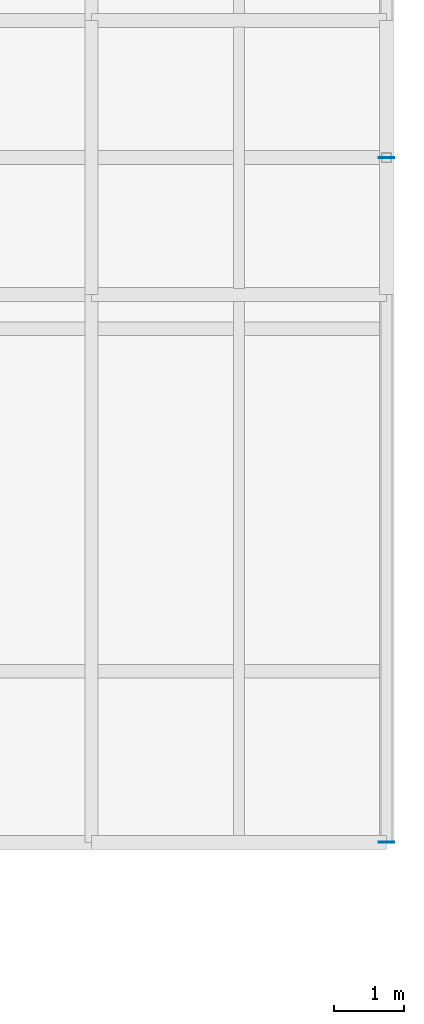
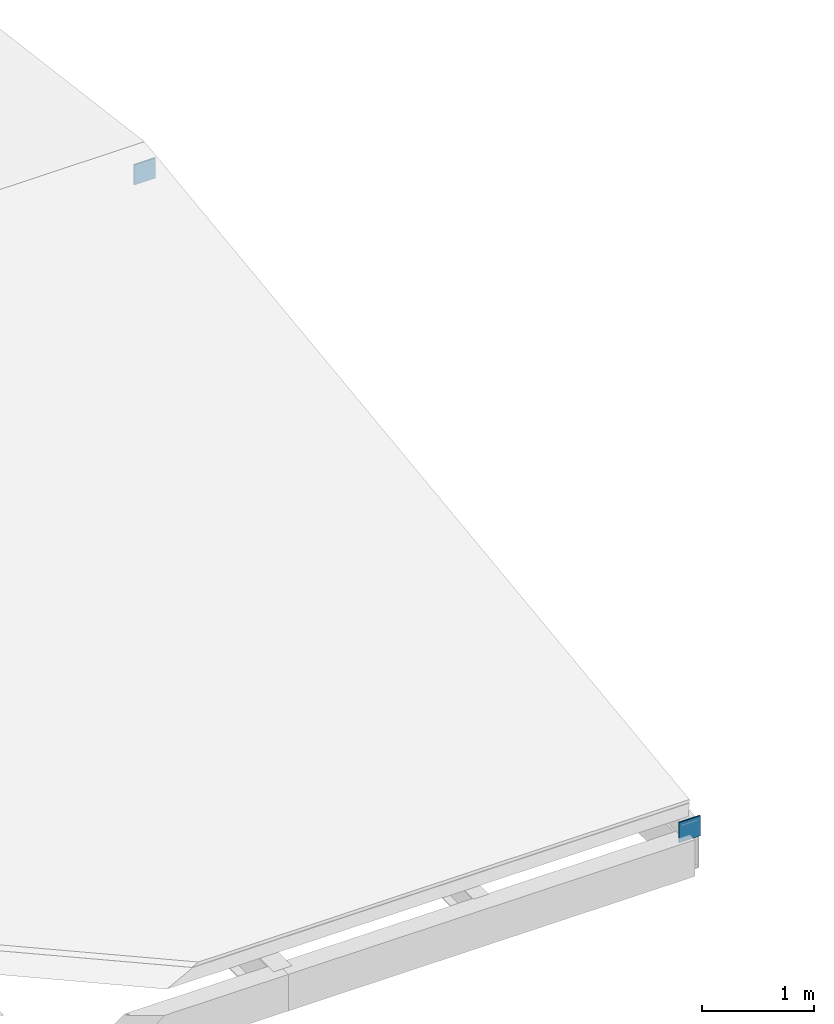
# One storey, part 89 of 119: 2 plates.
"""IFC4 building model written with IfcOpenShell, lengths in metres."""

import ifcopenshell
import ifcopenshell.guid

model = None  # the IFC model being written
_history = None  # IfcOwnerHistory: only IFC2X3 demands one
_inside = {}  # id of a spatial element -> (the spatial element, [elements in it])
_under = {}  # id of a project, library or spatial element -> (it, [spatial elements below it])
_declared = {}  # id of a project -> (the project, [libraries it declares])
_typed = {}  # id of a type object -> (the type object, [elements of that type])
_made_of = {}  # id of a material, layer set ... -> (it, [elements and type objects made of it])


def new_model(schema):
    """Start an empty IFC model of exactly this schema.

    Asked for "IFC4X3", IfcOpenShell would pick the latest addendum, in which some entities
    have other attributes; the version numbers below select the first issue.
    IFC2X3 requires an IfcOwnerHistory on every rooted entity: one is made here for all.
    """
    global model, _history
    if schema == "IFC4X3":
        model = ifcopenshell.file(schema_version=(4, 3, 0, 0))
    else:
        model = ifcopenshell.file(schema=schema)
    _inside.clear()
    _under.clear()
    _declared.clear()
    _typed.clear()
    _made_of.clear()
    _history = None
    if model.schema == "IFC2X3":
        org = make("IfcOrganization", Name="unknown")
        user = make(
            "IfcPersonAndOrganization",
            ThePerson=make("IfcPerson", FamilyName="unknown"),
            TheOrganization=org,
        )
        app = make(
            "IfcApplication",
            ApplicationDeveloper=org,
            Version="unknown",
            ApplicationFullName="unknown",
            ApplicationIdentifier="unknown",
        )
        _history = make(
            "IfcOwnerHistory",
            OwningUser=user,
            OwningApplication=app,
            ChangeAction="ADDED",
            CreationDate=0,
        )
    return model


def make(cls, **values):
    """One entity of the class cls with the attributes given. An attribute that is None is left unset."""
    return model.create_entity(
        cls, **{name: value for name, value in values.items() if value is not None}
    )


def rooted(cls, **values):
    """An entity with a GlobalId (a new one), such as an element, a storey or a relation."""
    return make(cls, GlobalId=ifcopenshell.guid.new(), OwnerHistory=_history, **values)


def si_unit(unit_type, name, prefix=None):
    """IfcSIUnit, for example si_unit("LENGTHUNIT", "METRE", prefix="MILLI")."""
    return make("IfcSIUnit", UnitType=unit_type, Prefix=prefix, Name=name)


def assignment(units):
    """IfcUnitAssignment: the units of a project."""
    return None if units is None else make("IfcUnitAssignment", Units=units)


def point(xyz):
    """IfcCartesianPoint."""
    return None if xyz is None else make("IfcCartesianPoint", Coordinates=xyz)


def direction(xyz):
    """IfcDirection."""
    return None if xyz is None else make("IfcDirection", DirectionRatios=xyz)


def frame(location, z_axis=None, x_axis=None):
    """IfcAxis2Placement3D, a coordinate frame: its origin and axes. An axis left out is left unset."""
    return make(
        "IfcAxis2Placement3D",
        Location=point(location),
        Axis=direction(z_axis),
        RefDirection=direction(x_axis),
    )


def frame_2d(location, x_axis=None):
    """IfcAxis2Placement2D, a coordinate frame in the plane: its origin and x axis."""
    return make(
        "IfcAxis2Placement2D", Location=point(location), RefDirection=direction(x_axis)
    )


def origin():
    """The frame at (0, 0, 0) with its axes left unset."""
    return frame((0.0, 0.0, 0.0))


def origin_2d():
    """The frame at (0, 0) in the plane with its x axis left unset."""
    return frame_2d((0.0, 0.0))


def place(relative_to, where):
    """IfcLocalPlacement: puts the frame where relative to a parent placement (None: the world)."""
    return make(
        "IfcLocalPlacement", PlacementRelTo=relative_to, RelativePlacement=where
    )


def context(
    kind, dimensions, precision=None, world=None, true_north=None, identifier=None
):
    """IfcGeometricRepresentationContext, for example the 3D "Model" context."""
    return make(
        "IfcGeometricRepresentationContext",
        ContextIdentifier=identifier,
        ContextType=kind,
        CoordinateSpaceDimension=dimensions,
        Precision=precision,
        WorldCoordinateSystem=world,
        TrueNorth=true_north,
    )


def subcontext(parent, identifier, kind, view, scale=None):
    """IfcGeometricRepresentationSubContext, for example "Body" below "Model"."""
    return make(
        "IfcGeometricRepresentationSubContext",
        ContextIdentifier=identifier,
        ContextType=kind,
        ParentContext=parent,
        TargetScale=scale,
        TargetView=view,
    )


def project(units=None, contexts=None):
    """IfcProject with its units and contexts."""
    return rooted(
        "IfcProject",
        Name="project",
        RepresentationContexts=contexts,
        UnitsInContext=assignment(units),
    )


def spatial(cls, under=None, at=None, **own):
    """A site, building, storey or space (cls), placed at a placement, below another one or the project."""
    s = rooted(cls, ObjectPlacement=at, **own)
    if under is not None:
        _under.setdefault(under.id(), (under, []))[1].append(s)
    return s


def profile(cls, at=None, kind="AREA", **sizes):
    """A parametric profile (cls). Its sizes go by their IFC names, for example OverallWidth=200.0."""
    return make(cls, ProfileType=kind, Position=at, **sizes)


def rectangle(**sizes):
    """IfcRectangleProfileDef."""
    return profile("IfcRectangleProfileDef", **sizes)


def extrude(swept, where, along, depth):
    """IfcExtrudedAreaSolid: the profile swept, set in the frame where, extruded along a direction by depth."""
    return make(
        "IfcExtrudedAreaSolid",
        SweptArea=swept,
        Position=where,
        ExtrudedDirection=direction(along),
        Depth=depth,
    )


def shape(context_of_items, identifier, shape_type, items):
    """IfcShapeRepresentation: the items that make up one representation, for example the "Body"."""
    return make(
        "IfcShapeRepresentation",
        ContextOfItems=context_of_items,
        RepresentationIdentifier=identifier,
        RepresentationType=shape_type,
        Items=items,
    )


def material(Name=None, Category=None):
    """IfcMaterial."""
    return make("IfcMaterial", Name=Name, Category=Category)


def layer(
    of_material, thickness, ventilated=None, Name=None, Category=None, Priority=None
):
    """IfcMaterialLayer: one layer of a wall or slab, of a material (None: an air gap)."""
    return make(
        "IfcMaterialLayer",
        Material=of_material,
        LayerThickness=thickness,
        IsVentilated=ventilated,
        Name=Name,
        Category=Category,
        Priority=Priority,
    )


def layer_set(layers, Name=None):
    """IfcMaterialLayerSet."""
    return make("IfcMaterialLayerSet", MaterialLayers=layers, LayerSetName=Name)


def made_of(thing, what):
    """Note that an element or type object is made of a material, layer set ...; save() writes the relation."""
    if what is not None:
        _made_of.setdefault(what.id(), (what, []))[1].append(thing)
    return thing


def type_object(cls, material=None, **own):
    """A type object (cls), such as IfcWallType, which elements share."""
    return made_of(rooted(cls, **own), material)


def element(
    cls,
    number,
    at=None,
    inside=None,
    cuts=None,
    type_object=None,
    material=None,
    context=None,
    identifier="Body",
    shape_type=None,
    held_by="IfcProductDefinitionShape",
    body=None,
    shapes=None,
    **own,
):
    """One element of the class cls, such as IfcWall. Its Tag is "e" and its number.

    at: its placement. inside: the storey or other place that contains it. cuts: it is an
    opening in that element (IfcRelVoidsElement). A single representation is given by context,
    identifier, shape_type and body (its items); several are given by shapes. held_by: the class
    of the entity that holds the representations. save() writes the other relations.
    """
    e = rooted(cls, Tag="e%d" % number, ObjectPlacement=at, **own)
    if body is not None:
        shapes = [shape(context, identifier, shape_type, body)]
    if shapes is not None:
        e.Representation = make(held_by, Representations=shapes)
    if inside is not None:
        _inside.setdefault(inside.id(), (inside, []))[1].append(e)
    if cuts is not None:
        rooted(
            "IfcRelVoidsElement", RelatingBuildingElement=cuts, RelatedOpeningElement=e
        )
    if type_object is not None:
        _typed.setdefault(type_object.id(), (type_object, []))[1].append(e)
    return made_of(e, material)


def aggregate(whole, parts):
    """IfcRelAggregates: a whole, such as a stair, and the parts it consists of."""
    return rooted("IfcRelAggregates", RelatingObject=whole, RelatedObjects=parts)


def save(model, path):
    """Write the relations noted so far, then the file.

    IfcRelAggregates (storeys below a building ...), IfcRelContainedInSpatialStructure (elements
    in a storey), IfcRelDefinesByType, IfcRelAssociatesMaterial and IfcRelDeclares: one each for
    every whole, place, type object, material and project.
    """
    for whole, parts in _under.values():
        aggregate(whole, parts)
    for where, things in _inside.values():
        rooted(
            "IfcRelContainedInSpatialStructure",
            RelatedElements=things,
            RelatingStructure=where,
        )
    for kind, things in _typed.values():
        rooted("IfcRelDefinesByType", RelatedObjects=things, RelatingType=kind)
    for what, things in _made_of.values():
        rooted("IfcRelAssociatesMaterial", RelatedObjects=things, RelatingMaterial=what)
    for by, libraries in _declared.values():
        rooted("IfcRelDeclares", RelatingContext=by, RelatedDefinitions=libraries)
    model.write(path)


model = new_model("IFC4")

# Units and contexts
model_context = context("Model", 3, precision=1e-05, world=origin(), true_north=direction((0.0, 1.0)))
body_context = subcontext(model_context, "Body", "Model", "MODEL_VIEW")
ifc_project = project(units=[si_unit("LENGTHUNIT", "METRE"), si_unit("AREAUNIT", "SQUARE_METRE"), si_unit("VOLUMEUNIT", "CUBIC_METRE"), si_unit("PLANEANGLEUNIT", "RADIAN"), si_unit("MASSUNIT", "GRAM", prefix="KILO")], contexts=[model_context])

# Site, building, storey
site_placement = place(None, origin())
site = spatial("IfcSite", under=ifc_project, at=site_placement, CompositionType="ELEMENT")
building_placement = place(site_placement, origin())
building = spatial("IfcBuilding", under=site, at=building_placement, Name="Celorna Specialist Clinic", CompositionType="ELEMENT")
storey_placement = place(building_placement, frame((0.0, 0.0, 9.60009765625)))
storey = spatial("IfcBuildingStorey", under=building, at=storey_placement, Name="L02", CompositionType="ELEMENT", Elevation=9.60009765625)

# Plates
ifc_material = material(Name="Steel S355", Category="steel")
ifc_layer = layer(ifc_material, 0.01611328125, Name="Steel S355")
ifc_layer_set = layer_set([ifc_layer], Name="Steel S355")
plate_type = type_object("IfcPlateType", Name="EP-04", PredefinedType="SHEET", material=ifc_layer_set)
for number, where, z_axis, x_axis, name in (
    (1, (168.0, 96.5, -0.31201171875), (0.0, 0.0, 1.0), (1.0, 0.0, 0.0), "Rafter chord cap plate ROOF-V4-EAST-S"),
    (2, (168.0, 106.25, 0.9580078125), (0.0, 0.0, 1.0), (1.0, 0.0, 0.0), "Rafter chord cap plate ROOF-V4-EAST-S"),
):
    element("IfcPlate", number, at=place(storey_placement, frame(where, z_axis=z_axis, x_axis=x_axis)), inside=storey, type_object=plate_type, Name=name, PredefinedType="SHEET", context=body_context, shape_type="SweptSolid", body=[
        extrude(rectangle(XDim=0.219970703125, YDim=0.013916015625, at=origin_2d()), origin(), (0.0, 0.0, 1.0), 0.219970703125),
    ])

save(model, "model.ifc")
